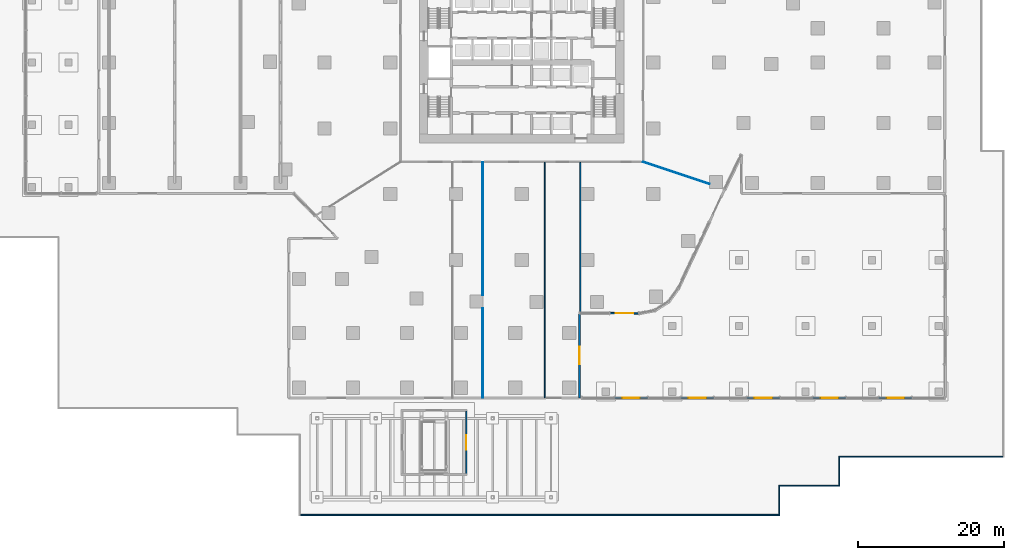
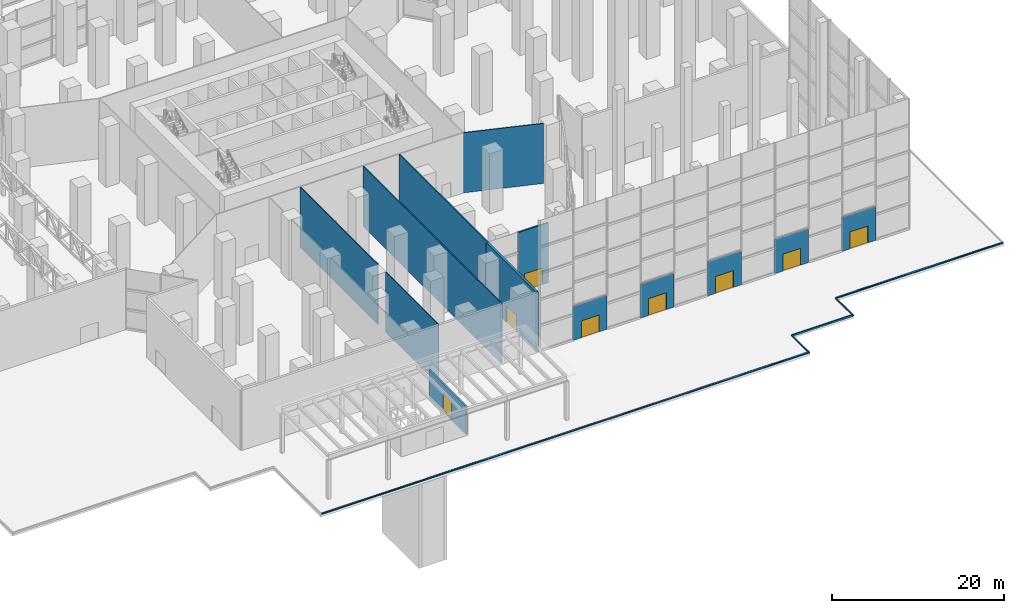
# One storey, part 29 of 40: 18 walls, 7 doors, 1 window, 8 openings.
"""IFC4 building model written with IfcOpenShell, lengths in metres."""

from ifc_helpers import new_model, si_unit, direction, frame, frame_2d, origin, place, context, subcontext, project, spatial, rectangle, extrude, material, layer, layer_set, type_object, element, fill, save


model = new_model("IFC4")

# Units and contexts
model_context = context("Model", 3, precision=1e-05, world=origin(), true_north=direction((0.0, 1.0)))
body_context = subcontext(model_context, "Body", "Model", "MODEL_VIEW")
ifc_project = project(units=[si_unit("LENGTHUNIT", "METRE"), si_unit("AREAUNIT", "SQUARE_METRE"), si_unit("VOLUMEUNIT", "CUBIC_METRE"), si_unit("PLANEANGLEUNIT", "RADIAN"), si_unit("MASSUNIT", "GRAM", prefix="KILO")], contexts=[model_context])

# Site, building, storey
site_placement = place(None, origin())
site = spatial("IfcSite", under=ifc_project, at=site_placement, CompositionType="ELEMENT")
building_placement = place(site_placement, origin())
building = spatial("IfcBuilding", under=site, at=building_placement, Name="Dongbaek Canopy Tower", CompositionType="ELEMENT")
storey_placement = place(building_placement, origin())
storey = spatial("IfcBuildingStorey", under=building, at=storey_placement, Name="L00", CompositionType="ELEMENT", Elevation=0.0)

# Wall, opening, door
ifc_material_1 = material(Name="Aluminium window wall", Category="aluminium")
ifc_layer_1 = layer(ifc_material_1, 0.199951171875)
ifc_layer_set_1 = layer_set([ifc_layer_1], Name="Entrance wall 200")
wall_type_1 = type_object("IfcWallType", Name="Entrance wall 200", PredefinedType="SOLIDWALL", material=ifc_layer_set_1)
wall_1_placement = place(storey_placement, frame((16.03662109375, -34.31591796875, 0.0), z_axis=(0.0, 0.0, 1.0), x_axis=(-0.999990139218, 0.004440885762, 0.0)))
wall_1 = element("IfcWall", 1, at=wall_1_placement, inside=storey, type_object=wall_type_1, Name="Entrance wall L00 F17 2", PredefinedType="SOLIDWALL", context=body_context, shape_type="SweptSolid", body=[
    extrude(rectangle(XDim=4.01318359375, YDim=0.199951171875, at=frame_2d((2.006591796875, 0.0))), origin(), (0.0, 0.0, 1.0), 8.550048828125),
])
opening_1_placement = place(wall_1_placement, frame((0.806640625, 0.0, 0.0)))
opening_1 = element("IfcOpeningElement", 2, at=opening_1_placement, cuts=wall_1, Name="Opening L00-E08", PredefinedType="OPENING", context=body_context, shape_type="SweptSolid", body=[
    extrude(rectangle(XDim=2.39990234375, YDim=2.39990234375, at=frame_2d((1.199951171875, 1.199951171875))), frame((0.0, 0.10986328125, 0.0), z_axis=(0.0, -1.0, 0.0), x_axis=(1.0, 0.0, 0.0)), (0.0, 0.0, 1.0), 0.219970703125),
])
ifc_material_2 = material(Name="Clear glazing in aluminium frame", Category="aluminium")
door_type = type_object("IfcDoorType", Name="Entrance door ED1 2400 x 2400", OperationType="DOUBLE_DOOR_SINGLE_SWING", PredefinedType="DOOR", material=ifc_material_2)
door_1_placement = place(opening_1_placement, origin())
door_1 = element("IfcDoor", 3, at=door_1_placement, inside=storey, type_object=door_type, Name="Exterior door L00-E08", OperationType="SINGLE_SWING_LEFT", OverallHeight=2.39990234375, OverallWidth=2.39990234375, PredefinedType="DOOR", context=body_context, shape_type="SweptSolid", body=[
    extrude(rectangle(XDim=2.39990234375, YDim=2.39990234375, at=frame_2d((1.199951171875, 1.199951171875))), frame((0.0, 0.02490234375, 0.0), z_axis=(0.0, -1.0, 0.0), x_axis=(1.0, 0.0, 0.0)), (0.0, 0.0, 1.0), 0.050048828125),
])
fill(opening_1, door_1)

# Wall, opening, window
wall_2_placement = place(storey_placement, frame((-7.60009765625, -56.300048828125, 0.0), z_axis=(0.0, 0.0, 1.0), x_axis=(0.0, 1.0, 0.0)))
wall_2 = element("IfcWall", 4, at=wall_2_placement, inside=storey, type_object=wall_type_1, Name="Metro entrance A E wall", PredefinedType="SOLIDWALL", context=body_context, shape_type="SweptSolid", body=[
    extrude(rectangle(XDim=8.60009765625, YDim=0.199951171875, at=frame_2d((4.300048828125, 0.0))), origin(), (0.0, 0.0, 1.0), 4.0),
])
opening_2_placement = place(wall_2_placement, frame((3.300048828125, 0.0, 0.300048828125)))
opening_2 = element("IfcOpeningElement", 5, at=opening_2_placement, cuts=wall_2, Name="Opening PW1", PredefinedType="OPENING", context=body_context, shape_type="SweptSolid", body=[
    extrude(rectangle(XDim=2.0, YDim=2.39990234375, at=frame_2d((1.0, 1.199951171875))), frame((0.0, 0.10986328125, 0.0), z_axis=(0.0, -1.0, 0.0), x_axis=(1.0, 0.0, 0.0)), (0.0, 0.0, 1.0), 0.219970703125),
])
ifc_material_3 = material(Name="Clear glazing in aluminium frame", Category="aluminium")
window_type = type_object("IfcWindowType", Name="Pavilion window PW1 2000 x 2400", PartitioningType="SINGLE_PANEL", PredefinedType="WINDOW", material=ifc_material_3)
window_placement = place(opening_2_placement, origin())
window = element("IfcWindow", 6, at=window_placement, inside=storey, type_object=window_type, Name="Metro entrance A window E", OverallHeight=2.39990234375, OverallWidth=2.0, PartitioningType="SINGLE_PANEL", PredefinedType="WINDOW", context=body_context, shape_type="SweptSolid", body=[
    extrude(rectangle(XDim=2.0, YDim=2.39990234375, at=frame_2d((1.0, 1.199951171875))), frame((0.0, 0.030029296875, 0.0), z_axis=(0.0, -1.0, 0.0), x_axis=(1.0, 0.0, 0.0)), (0.0, 0.0, 1.0), 0.06005859375),
])
fill(opening_2, window)

# Wall, opening, door
wall_3_placement = place(storey_placement, frame((17.236328125, -45.89990234375, 0.0), z_axis=(0.0, 0.0, 1.0), x_axis=(-1.0, 0.0, 0.0)))
wall_3 = element("IfcWall", 7, at=wall_3_placement, inside=storey, type_object=wall_type_1, Name="Entrance wall L00 SS.2", PredefinedType="SOLIDWALL", context=body_context, shape_type="SweptSolid", body=[
    extrude(rectangle(XDim=4.51806640625, YDim=0.199951171875, at=frame_2d((2.259033203125, 0.0))), origin(), (0.0, 0.0, 1.0), 4.800048828125),
])
opening_3_placement = place(wall_3_placement, frame((1.05908203125, 0.0, 0.0)))
opening_3 = element("IfcOpeningElement", 8, at=opening_3_placement, cuts=wall_3, Name="Opening L00-P08", PredefinedType="OPENING", context=body_context, shape_type="SweptSolid", body=[
    extrude(rectangle(XDim=2.39990234375, YDim=2.39990234375, at=frame_2d((1.199951171875, 1.199951171875))), frame((0.0, 0.10986328125, 0.0), z_axis=(0.0, -1.0, 0.0), x_axis=(1.0, 0.0, 0.0)), (0.0, 0.0, 1.0), 0.219970703125),
])
door_2_placement = place(opening_3_placement, origin())
door_2 = element("IfcDoor", 9, at=door_2_placement, inside=storey, type_object=door_type, Name="Station entrance door L00-P08", OperationType="SINGLE_SWING_LEFT", OverallHeight=2.39990234375, OverallWidth=2.39990234375, PredefinedType="DOOR", context=body_context, shape_type="SweptSolid", body=[
    extrude(rectangle(XDim=2.39990234375, YDim=2.39990234375, at=frame_2d((1.199951171875, 1.199951171875))), frame((0.0, 0.02490234375, 0.0), z_axis=(0.0, -1.0, 0.0), x_axis=(1.0, 0.0, 0.0)), (0.0, 0.0, 1.0), 0.050048828125),
])
fill(opening_3, door_2)

wall_4_placement = place(storey_placement, frame((26.272705078125, -45.89990234375, 0.0), z_axis=(0.0, 0.0, 1.0), x_axis=(-1.0, 0.0, 0.0)))
wall_4 = element("IfcWall", 10, at=wall_4_placement, inside=storey, type_object=wall_type_1, Name="Entrance wall L00 SS.4", PredefinedType="SOLIDWALL", context=body_context, shape_type="SweptSolid", body=[
    extrude(rectangle(XDim=4.51806640625, YDim=0.199951171875, at=frame_2d((2.259033203125, 0.0))), origin(), (0.0, 0.0, 1.0), 4.800048828125),
])
opening_4_placement = place(wall_4_placement, frame((1.05908203125, 0.0, 0.0)))
opening_4 = element("IfcOpeningElement", 11, at=opening_4_placement, cuts=wall_4, Name="Opening L00-P09", PredefinedType="OPENING", context=body_context, shape_type="SweptSolid", body=[
    extrude(rectangle(XDim=2.39990234375, YDim=2.39990234375, at=frame_2d((1.199951171875, 1.199951171875))), frame((0.0, 0.10986328125, 0.0), z_axis=(0.0, -1.0, 0.0), x_axis=(1.0, 0.0, 0.0)), (0.0, 0.0, 1.0), 0.219970703125),
])
door_3_placement = place(opening_4_placement, origin())
door_3 = element("IfcDoor", 12, at=door_3_placement, inside=storey, type_object=door_type, Name="Station entrance door L00-P09", OperationType="SINGLE_SWING_LEFT", OverallHeight=2.39990234375, OverallWidth=2.39990234375, PredefinedType="DOOR", context=body_context, shape_type="SweptSolid", body=[
    extrude(rectangle(XDim=2.39990234375, YDim=2.39990234375, at=frame_2d((1.199951171875, 1.199951171875))), frame((0.0, 0.02490234375, 0.0), z_axis=(0.0, -1.0, 0.0), x_axis=(1.0, 0.0, 0.0)), (0.0, 0.0, 1.0), 0.050048828125),
])
fill(opening_4, door_3)

wall_5_placement = place(storey_placement, frame((35.30908203125, -45.89990234375, 0.0), z_axis=(0.0, 0.0, 1.0), x_axis=(-1.0, 0.0, 0.0)))
wall_5 = element("IfcWall", 13, at=wall_5_placement, inside=storey, type_object=wall_type_1, Name="Entrance wall L00 SS.6", PredefinedType="SOLIDWALL", context=body_context, shape_type="SweptSolid", body=[
    extrude(rectangle(XDim=4.51806640625, YDim=0.199951171875, at=frame_2d((2.259033203125, 0.0))), origin(), (0.0, 0.0, 1.0), 4.800048828125),
])
opening_5_placement = place(wall_5_placement, frame((1.05908203125, 0.0, 0.0)))
opening_5 = element("IfcOpeningElement", 14, at=opening_5_placement, cuts=wall_5, Name="Opening L00-P10", PredefinedType="OPENING", context=body_context, shape_type="SweptSolid", body=[
    extrude(rectangle(XDim=2.39990234375, YDim=2.39990234375, at=frame_2d((1.199951171875, 1.199951171875))), frame((0.0, 0.10986328125, 0.0), z_axis=(0.0, -1.0, 0.0), x_axis=(1.0, 0.0, 0.0)), (0.0, 0.0, 1.0), 0.219970703125),
])
door_4_placement = place(opening_5_placement, origin())
door_4 = element("IfcDoor", 15, at=door_4_placement, inside=storey, type_object=door_type, Name="Station entrance door L00-P10", OperationType="SINGLE_SWING_LEFT", OverallHeight=2.39990234375, OverallWidth=2.39990234375, PredefinedType="DOOR", context=body_context, shape_type="SweptSolid", body=[
    extrude(rectangle(XDim=2.39990234375, YDim=2.39990234375, at=frame_2d((1.199951171875, 1.199951171875))), frame((0.0, 0.02490234375, 0.0), z_axis=(0.0, -1.0, 0.0), x_axis=(1.0, 0.0, 0.0)), (0.0, 0.0, 1.0), 0.050048828125),
])
fill(opening_5, door_4)

wall_6_placement = place(storey_placement, frame((44.345458984375, -45.89990234375, 0.0), z_axis=(0.0, 0.0, 1.0), x_axis=(-1.0, 0.0, 0.0)))
wall_6 = element("IfcWall", 16, at=wall_6_placement, inside=storey, type_object=wall_type_1, Name="Entrance wall L00 SS.8", PredefinedType="SOLIDWALL", context=body_context, shape_type="SweptSolid", body=[
    extrude(rectangle(XDim=4.51806640625, YDim=0.199951171875, at=frame_2d((2.259033203125, 0.0))), origin(), (0.0, 0.0, 1.0), 4.800048828125),
])
opening_6_placement = place(wall_6_placement, frame((1.05908203125, 0.0, 0.0)))
opening_6 = element("IfcOpeningElement", 17, at=opening_6_placement, cuts=wall_6, Name="Opening L00-P11", PredefinedType="OPENING", context=body_context, shape_type="SweptSolid", body=[
    extrude(rectangle(XDim=2.39990234375, YDim=2.39990234375, at=frame_2d((1.199951171875, 1.199951171875))), frame((0.0, 0.10986328125, 0.0), z_axis=(0.0, -1.0, 0.0), x_axis=(1.0, 0.0, 0.0)), (0.0, 0.0, 1.0), 0.219970703125),
])
door_5_placement = place(opening_6_placement, origin())
door_5 = element("IfcDoor", 18, at=door_5_placement, inside=storey, type_object=door_type, Name="Station entrance door L00-P11", OperationType="SINGLE_SWING_LEFT", OverallHeight=2.39990234375, OverallWidth=2.39990234375, PredefinedType="DOOR", context=body_context, shape_type="SweptSolid", body=[
    extrude(rectangle(XDim=2.39990234375, YDim=2.39990234375, at=frame_2d((1.199951171875, 1.199951171875))), frame((0.0, 0.02490234375, 0.0), z_axis=(0.0, -1.0, 0.0), x_axis=(1.0, 0.0, 0.0)), (0.0, 0.0, 1.0), 0.050048828125),
])
fill(opening_6, door_5)

wall_7_placement = place(storey_placement, frame((53.3818359375, -45.89990234375, 0.0), z_axis=(0.0, 0.0, 1.0), x_axis=(-1.0, 0.0, 0.0)))
wall_7 = element("IfcWall", 19, at=wall_7_placement, inside=storey, type_object=wall_type_1, Name="Entrance wall L00 SS.10", PredefinedType="SOLIDWALL", context=body_context, shape_type="SweptSolid", body=[
    extrude(rectangle(XDim=4.518310546875, YDim=0.199951171875, at=frame_2d((2.25927734375, 0.0))), origin(), (0.0, 0.0, 1.0), 4.800048828125),
])
opening_7_placement = place(wall_7_placement, frame((1.05908203125, 0.0, 0.0)))
opening_7 = element("IfcOpeningElement", 20, at=opening_7_placement, cuts=wall_7, Name="Opening L00-P12", PredefinedType="OPENING", context=body_context, shape_type="SweptSolid", body=[
    extrude(rectangle(XDim=2.39990234375, YDim=2.39990234375, at=frame_2d((1.199951171875, 1.199951171875))), frame((0.0, 0.10986328125, 0.0), z_axis=(0.0, -1.0, 0.0), x_axis=(1.0, 0.0, 0.0)), (0.0, 0.0, 1.0), 0.219970703125),
])
door_6_placement = place(opening_7_placement, origin())
door_6 = element("IfcDoor", 21, at=door_6_placement, inside=storey, type_object=door_type, Name="Station entrance door L00-P12", OperationType="SINGLE_SWING_LEFT", OverallHeight=2.39990234375, OverallWidth=2.39990234375, PredefinedType="DOOR", context=body_context, shape_type="SweptSolid", body=[
    extrude(rectangle(XDim=2.39990234375, YDim=2.39990234375, at=frame_2d((1.199951171875, 1.199951171875))), frame((0.0, 0.02490234375, 0.0), z_axis=(0.0, -1.0, 0.0), x_axis=(1.0, 0.0, 0.0)), (0.0, 0.0, 1.0), 0.050048828125),
])
fill(opening_7, door_6)

# Walls
ifc_material_4 = material(Name="Gypsum board partition, steel stud, 2 x 15 mm fire board", Category="steel")
ifc_layer_2 = layer(ifc_material_4, 0.14990234375)
ifc_layer_set_2 = layer_set([ifc_layer_2], Name="Fire-rated partition 150 gypsum board")
wall_type_2 = type_object("IfcWallType", Name="Fire-rated partition 150 gypsum board", PredefinedType="PARTITIONING", material=ifc_layer_set_2)
wall_8_placement = place(storey_placement, frame((8.0, -34.260009765625, 0.0), z_axis=(0.0, 0.0, 1.0), x_axis=(0.0, 1.0, 0.0)))
element("IfcWall", 22, at=wall_8_placement, inside=storey, type_object=wall_type_2, Name="Corridor partition", PredefinedType="PARTITIONING", context=body_context, shape_type="SweptSolid", body=[
    extrude(rectangle(XDim=20.5849609375, YDim=0.14990234375, at=frame_2d((10.29248046875, 0.0))), origin(), (0.0, 0.0, 1.0), 8.550048828125),
])
wall_9_placement = place(storey_placement, frame((3.14990234375, -45.8798828125, 0.0), z_axis=(0.0, 0.0, 1.0), x_axis=(0.0, 1.0, 0.0)))
element("IfcWall", 23, at=wall_9_placement, inside=storey, type_object=wall_type_2, Name="Corridor partition", PredefinedType="PARTITIONING", context=body_context, shape_type="SweptSolid", body=[
    extrude(rectangle(XDim=32.204833984375, YDim=0.14990234375, at=frame_2d((16.1025390625, 0.0))), origin(), (0.0, 0.0, 1.0), 8.550048828125),
])

# Wall, opening, door
ifc_material_5 = material(Name="Precast concrete C40/50 with pale metal cladding", Category="concrete")
ifc_layer_3 = layer(ifc_material_5, 0.300048828125)
ifc_layer_set_3 = layer_set([ifc_layer_3], Name="Hall wall 300")
wall_type_3 = type_object("IfcWallType", Name="Hall wall 300", PredefinedType="SOLIDWALL", material=ifc_layer_set_3)
wall_10_placement = place(storey_placement, frame((7.89990234375, -34.27978515625, 0.0), z_axis=(0.0, 0.0, 1.0), x_axis=(0.0, -1.0, 0.0)))
wall_10 = element("IfcWall", 24, at=wall_10_placement, inside=storey, type_object=wall_type_3, Name="Hall wall L00 F16", PredefinedType="SOLIDWALL", context=body_context, shape_type="SweptSolid", body=[
    extrude(rectangle(XDim=11.6201171875, YDim=0.300048828125, at=frame_2d((5.81005859375, 0.0))), origin(), (0.0, 0.0, 1.0), 8.550048828125),
])
opening_8_placement = place(wall_10_placement, frame((4.610107421875, 0.0, 0.0)))
opening_8 = element("IfcOpeningElement", 25, at=opening_8_placement, cuts=wall_10, Name="Opening L00-X21", PredefinedType="OPENING", context=body_context, shape_type="SweptSolid", body=[
    extrude(rectangle(XDim=2.39990234375, YDim=2.39990234375, at=frame_2d((1.199951171875, 1.199951171875))), frame((0.0, 0.159912109375, 0.0), z_axis=(0.0, -1.0, 0.0), x_axis=(1.0, 0.0, 0.0)), (0.0, 0.0, 1.0), 0.320068359375),
])
door_7_placement = place(opening_8_placement, origin())
door_7 = element("IfcDoor", 26, at=door_7_placement, inside=storey, type_object=door_type, Name="Exterior door L00-X21", OperationType="SINGLE_SWING_LEFT", OverallHeight=2.39990234375, OverallWidth=2.39990234375, PredefinedType="DOOR", context=body_context, shape_type="SweptSolid", body=[
    extrude(rectangle(XDim=2.39990234375, YDim=2.39990234375, at=frame_2d((1.199951171875, 1.199951171875))), frame((0.0, 0.02490234375, 0.0), z_axis=(0.0, -1.0, 0.0), x_axis=(1.0, 0.0, 0.0)), (0.0, 0.0, 1.0), 0.050048828125),
])
fill(opening_8, door_7)

# Walls
ifc_material_6 = material(Name="Gypsum board partition, steel stud, 2 x 12.5 mm board", Category="steel")
ifc_layer_4 = layer(ifc_material_6, 0.10009765625)
ifc_layer_set_4 = layer_set([ifc_layer_4], Name="Partition 100 gypsum board")
wall_type_4 = type_object("IfcWallType", Name="Partition 100 gypsum board", PredefinedType="PARTITIONING", material=ifc_layer_set_4)
wall_11_placement = place(storey_placement, frame((-5.3330078125, -45.8798828125, 0.0), z_axis=(0.0, 0.0, 1.0), x_axis=(0.0, 1.0, 0.0)))
element("IfcWall", 27, at=wall_11_placement, inside=storey, type_object=wall_type_4, Name="Partition", PredefinedType="PARTITIONING", context=body_context, shape_type="SweptSolid", body=[
    extrude(rectangle(XDim=12.262939453125, YDim=0.10009765625, at=frame_2d((6.13134765625, 0.0))), origin(), (0.0, 0.0, 1.0), 8.550048828125),
])
wall_12_placement = place(storey_placement, frame((-5.3330078125, -31.81689453125, 0.0), z_axis=(0.0, 0.0, 1.0), x_axis=(0.0, 1.0, 0.0)))
element("IfcWall", 28, at=wall_12_placement, inside=storey, type_object=wall_type_4, Name="Partition", PredefinedType="PARTITIONING", context=body_context, shape_type="SweptSolid", body=[
    extrude(rectangle(XDim=18.141845703125, YDim=0.10009765625, at=frame_2d((9.07080078125, 0.0))), origin(), (0.0, 0.0, 1.0), 8.550048828125),
])
wall_13_placement = place(storey_placement, frame((16.60009765625, -13.599609375, 0.0), z_axis=(0.0, 0.0, 1.0), x_axis=(0.948711366471, -0.316143548294, 0.0)))
element("IfcWall", 29, at=wall_13_placement, inside=storey, type_object=wall_type_4, Name="Partition", PredefinedType="PARTITIONING", context=body_context, shape_type="SweptSolid", body=[
    extrude(rectangle(XDim=9.566650390625, YDim=0.10009765625, at=frame_2d((4.783203125, 0.0))), origin(), (0.0, 0.0, 1.0), 8.550048828125),
])
ifc_material_7 = material(Name="Precast concrete C40/50 kerb", Category="concrete")
ifc_layer_5 = layer(ifc_material_7, 0.14990234375)
ifc_layer_set_5 = layer_set([ifc_layer_5], Name="Plaza kerb 150")
wall_type_5 = type_object("IfcWallType", Name="Plaza kerb 150", PredefinedType="SOLIDWALL", material=ifc_layer_set_5)
wall_14_placement = place(storey_placement, frame((-30.35009765625, -61.925048828125, 0.0), z_axis=(0.0, 0.0, 1.0), x_axis=(1.0, 0.0, 0.0)))
element("IfcWall", 30, at=wall_14_placement, inside=storey, type_object=wall_type_5, Name="Plaza kerb 1", PredefinedType="SOLIDWALL", context=body_context, shape_type="SweptSolid", body=[
    extrude(rectangle(XDim=65.5, YDim=0.14990234375, at=frame_2d((32.75, 0.0))), origin(), (0.0, 0.0, 1.0), 0.14990234375),
])
wall_15_placement = place(storey_placement, frame((35.22509765625, -62.0, 0.0), z_axis=(0.0, 0.0, 1.0), x_axis=(0.0, 1.0, 0.0)))
element("IfcWall", 31, at=wall_15_placement, inside=storey, type_object=wall_type_5, Name="Plaza kerb 2", PredefinedType="SOLIDWALL", context=body_context, shape_type="SweptSolid", body=[
    extrude(rectangle(XDim=4.14990234375, YDim=0.14990234375, at=frame_2d((2.074951171875, 0.0))), origin(), (0.0, 0.0, 1.0), 0.14990234375),
])
wall_16_placement = place(storey_placement, frame((35.300048828125, -57.925048828125, 0.0), z_axis=(0.0, 0.0, 1.0), x_axis=(1.0, 0.0, 0.0)))
element("IfcWall", 32, at=wall_16_placement, inside=storey, type_object=wall_type_5, Name="Plaza kerb 4", PredefinedType="SOLIDWALL", context=body_context, shape_type="SweptSolid", body=[
    extrude(rectangle(XDim=8.050048828125, YDim=0.14990234375, at=frame_2d((4.02490234375, 0.0))), origin(), (0.0, 0.0, 1.0), 0.14990234375),
])
wall_17_placement = place(storey_placement, frame((43.425048828125, -58.0, 0.0), z_axis=(0.0, 0.0, 1.0), x_axis=(0.0, 1.0, 0.0)))
element("IfcWall", 33, at=wall_17_placement, inside=storey, type_object=wall_type_5, Name="Plaza kerb 5", PredefinedType="SOLIDWALL", context=body_context, shape_type="SweptSolid", body=[
    extrude(rectangle(XDim=4.14990234375, YDim=0.14990234375, at=frame_2d((2.074951171875, 0.0))), origin(), (0.0, 0.0, 1.0), 0.14990234375),
])
wall_18_placement = place(storey_placement, frame((43.5, -53.925048828125, 0.0), z_axis=(0.0, 0.0, 1.0), x_axis=(1.0, 0.0, 0.0)))
element("IfcWall", 34, at=wall_18_placement, inside=storey, type_object=wall_type_5, Name="Plaza kerb 6", PredefinedType="SOLIDWALL", context=body_context, shape_type="SweptSolid", body=[
    extrude(rectangle(XDim=22.35009765625, YDim=0.14990234375, at=frame_2d((11.175048828125, 0.0))), origin(), (0.0, 0.0, 1.0), 0.14990234375),
])

save(model, "model.ifc")
